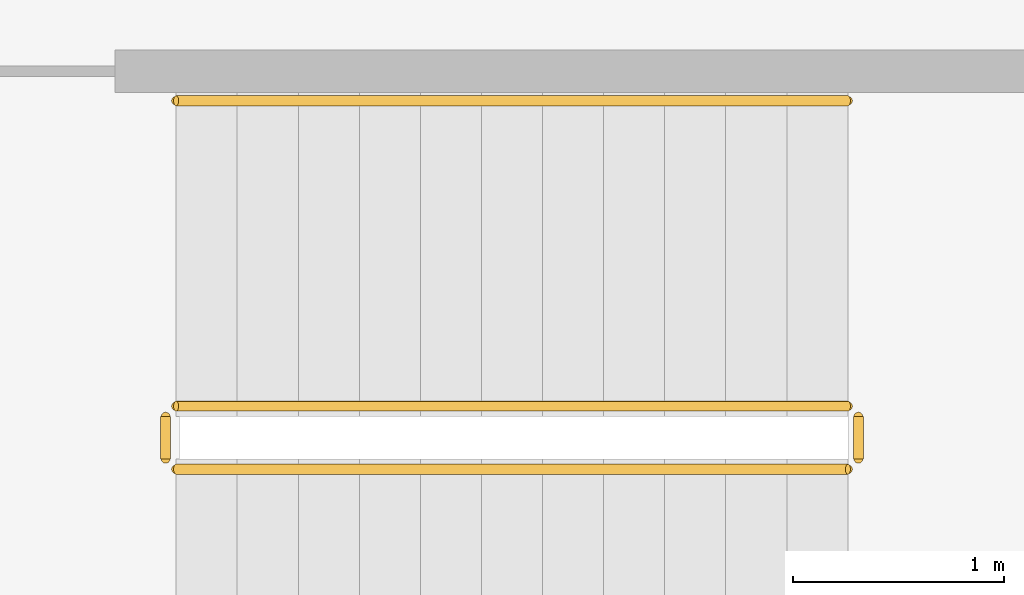
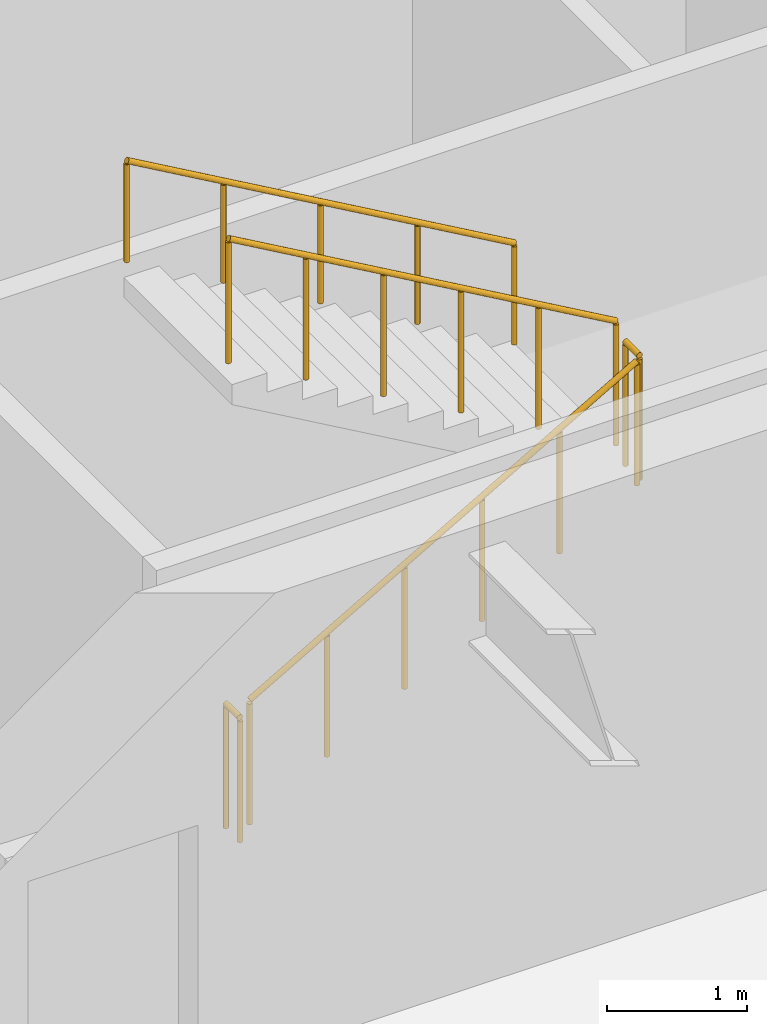
# One storey, part 19 of 20: 5 railings.
"""IFC4 building model written with IfcOpenShell, lengths in metres."""

from ifc_helpers import new_model, si_unit, direction, frame, origin, origin_2d, place, context, subcontext, project, spatial, circle, extrude, material, type_object, element, save


model = new_model("IFC4")

# Units and contexts
model_context = context("Model", 3, precision=1e-05, world=origin(), true_north=direction((0.0, 1.0)))
body_context = subcontext(model_context, "Body", "Model", "MODEL_VIEW")
ifc_project = project(units=[si_unit("LENGTHUNIT", "METRE"), si_unit("AREAUNIT", "SQUARE_METRE"), si_unit("VOLUMEUNIT", "CUBIC_METRE"), si_unit("PLANEANGLEUNIT", "RADIAN"), si_unit("MASSUNIT", "GRAM", prefix="KILO")], contexts=[model_context])

# Site, building, storey
site_placement = place(None, origin())
site = spatial("IfcSite", under=ifc_project, at=site_placement, CompositionType="ELEMENT")
building_placement = place(site_placement, origin())
building = spatial("IfcBuilding", under=site, at=building_placement, Name="Putna Gate Headquarters", CompositionType="ELEMENT")
storey_placement = place(building_placement, frame((0.0, 0.0, 282.39990234375)))
storey = spatial("IfcBuildingStorey", under=building, at=storey_placement, Name="L71", CompositionType="ELEMENT", Elevation=282.39990234375)

# Railings
ifc_material_1 = material(Name="Powder-coated steel stair guardrail", Category="steel")
railing_type_1 = type_object("IfcRailingType", Name="RAIL-STAIR-GUARD-1100", PredefinedType="GUARDRAIL", material=ifc_material_1)
railing_1_placement = place(storey_placement, frame((57.89990234375, 21.10009765625, 0.166748046875)))
element("IfcRailing", 1, at=railing_1_placement, inside=storey, type_object=railing_type_1, Name="L71 ST2 stair guard 1", PredefinedType="GUARDRAIL", context=body_context, shape_type="SweptSolid", body=[
    extrude(circle(Radius=0.02392578125, at=origin_2d()), frame((0.0, 0.0, 1.076171875), z_axis=(0.8670360191, 0.0, 0.498245463184), x_axis=(0.0, 1.0, 0.0)), (0.0, 0.0, 1.0), 3.679443359375),
    extrude(circle(Radius=0.02099609375, at=origin_2d()), origin(), (0.0, 0.0, 1.0), 1.052001953125),
    extrude(circle(Radius=0.02099609375, at=origin_2d()), frame((0.637939453125, 0.0, 0.36669921875)), (0.0, 0.0, 1.0), 1.052001953125),
    extrude(circle(Radius=0.02099609375, at=origin_2d()), frame((1.276123046875, 0.0, 0.7333984375)), (0.0, 0.0, 1.0), 1.052001953125),
    extrude(circle(Radius=0.02099609375, at=origin_2d()), frame((1.9140625, 0.0, 1.099853515625)), (0.0, 0.0, 1.0), 1.052001953125),
    extrude(circle(Radius=0.02099609375, at=origin_2d()), frame((2.55224609375, 0.0, 1.466552734375)), (0.0, 0.0, 1.0), 1.052001953125),
    extrude(circle(Radius=0.02099609375, at=origin_2d()), frame((3.190185546875, 0.0, 1.833251953125)), (0.0, 0.0, 1.0), 1.052001953125),
])
railing_2_placement = place(storey_placement, frame((61.139892578125, 21.14990234375, 2.0)))
element("IfcRailing", 2, at=railing_2_placement, inside=storey, type_object=railing_type_1, Name="L71 ST2 stair guard 2", PredefinedType="GUARDRAIL", context=body_context, shape_type="SweptSolid", body=[
    extrude(circle(Radius=0.02392578125, at=origin_2d()), frame((0.0, 0.0, 1.076171875), z_axis=(0.0, 1.0, 0.0), x_axis=(-1.0, 0.0, 0.0)), (0.0, 0.0, 1.0), 0.2001953125),
    extrude(circle(Radius=0.02099609375, at=origin_2d()), origin(), (0.0, 0.0, 1.0), 1.052001953125),
    extrude(circle(Radius=0.02099609375, at=origin_2d()), frame((0.0, 0.2001953125, 0.0)), (0.0, 0.0, 1.0), 1.052001953125),
])
railing_3_placement = place(storey_placement, frame((61.090087890625, 21.39990234375, 2.166748046875)))
element("IfcRailing", 3, at=railing_3_placement, inside=storey, type_object=railing_type_1, Name="L71 ST2 stair guard 3", PredefinedType="GUARDRAIL", context=body_context, shape_type="SweptSolid", body=[
    extrude(circle(Radius=0.02392578125, at=origin_2d()), frame((0.0, 0.0, 1.076171875), z_axis=(-0.8670360191, 0.0, 0.498245463184), x_axis=(0.0, -1.0, 0.0)), (0.0, 0.0, 1.0), 3.679443359375),
    extrude(circle(Radius=0.02099609375, at=origin_2d()), origin(), (0.0, 0.0, 1.0), 1.052001953125),
    extrude(circle(Radius=0.02099609375, at=origin_2d()), frame((-0.637939453125, 0.0, 0.36669921875)), (0.0, 0.0, 1.0), 1.052001953125),
    extrude(circle(Radius=0.02099609375, at=origin_2d()), frame((-1.276123046875, 0.0, 0.7333984375)), (0.0, 0.0, 1.0), 1.052001953125),
    extrude(circle(Radius=0.02099609375, at=origin_2d()), frame((-1.9140625, 0.0, 1.099853515625)), (0.0, 0.0, 1.0), 1.052001953125),
    extrude(circle(Radius=0.02099609375, at=origin_2d()), frame((-2.55224609375, 0.0, 1.466552734375)), (0.0, 0.0, 1.0), 1.052001953125),
    extrude(circle(Radius=0.02099609375, at=origin_2d()), frame((-3.190185546875, 0.0, 1.833251953125)), (0.0, 0.0, 1.0), 1.052001953125),
])
railing_4_placement = place(storey_placement, frame((57.85009765625, 21.14990234375, 0.0)))
element("IfcRailing", 4, at=railing_4_placement, inside=storey, type_object=railing_type_1, Name="L71 ST2 stair guard 4", PredefinedType="GUARDRAIL", context=body_context, shape_type="SweptSolid", body=[
    extrude(circle(Radius=0.02392578125, at=origin_2d()), frame((0.0, 0.0, 1.076171875), z_axis=(0.0, 1.0, 0.0), x_axis=(-1.0, 0.0, 0.0)), (0.0, 0.0, 1.0), 0.2001953125),
    extrude(circle(Radius=0.02099609375, at=origin_2d()), origin(), (0.0, 0.0, 1.0), 1.052001953125),
    extrude(circle(Radius=0.02099609375, at=origin_2d()), frame((0.0, 0.2001953125, 0.0)), (0.0, 0.0, 1.0), 1.052001953125),
])
ifc_material_2 = material(Name="Brushed stainless steel handrail", Category="steel")
railing_type_2 = type_object("IfcRailingType", Name="RAIL-STAIR-HAND-900", PredefinedType="HANDRAIL", material=ifc_material_2)
railing_5_placement = place(storey_placement, frame((61.090087890625, 22.85009765625, 2.166748046875)))
element("IfcRailing", 5, at=railing_5_placement, inside=storey, type_object=railing_type_2, Name="L71 ST2 stair handrail 2", PredefinedType="HANDRAIL", context=body_context, shape_type="SweptSolid", body=[
    extrude(circle(Radius=0.02392578125, at=origin_2d()), frame((0.0, 0.0, 0.8759765625), z_axis=(-0.8670360191, 0.0, 0.498245463184), x_axis=(0.0, -1.0, 0.0)), (0.0, 0.0, 1.0), 3.679443359375),
    extrude(circle(Radius=0.02099609375, at=origin_2d()), origin(), (0.0, 0.0, 1.0), 0.851806640625),
    extrude(circle(Radius=0.02099609375, at=origin_2d()), frame((-0.797607421875, 0.0, 0.458251953125)), (0.0, 0.0, 1.0), 0.851806640625),
    extrude(circle(Radius=0.02099609375, at=origin_2d()), frame((-1.59521484375, 0.0, 0.91650390625)), (0.0, 0.0, 1.0), 0.851806640625),
    extrude(circle(Radius=0.02099609375, at=origin_2d()), frame((-2.392578125, 0.0, 1.375)), (0.0, 0.0, 1.0), 0.851806640625),
    extrude(circle(Radius=0.02099609375, at=origin_2d()), frame((-3.190185546875, 0.0, 1.833251953125)), (0.0, 0.0, 1.0), 0.851806640625),
])

save(model, "model.ifc")
